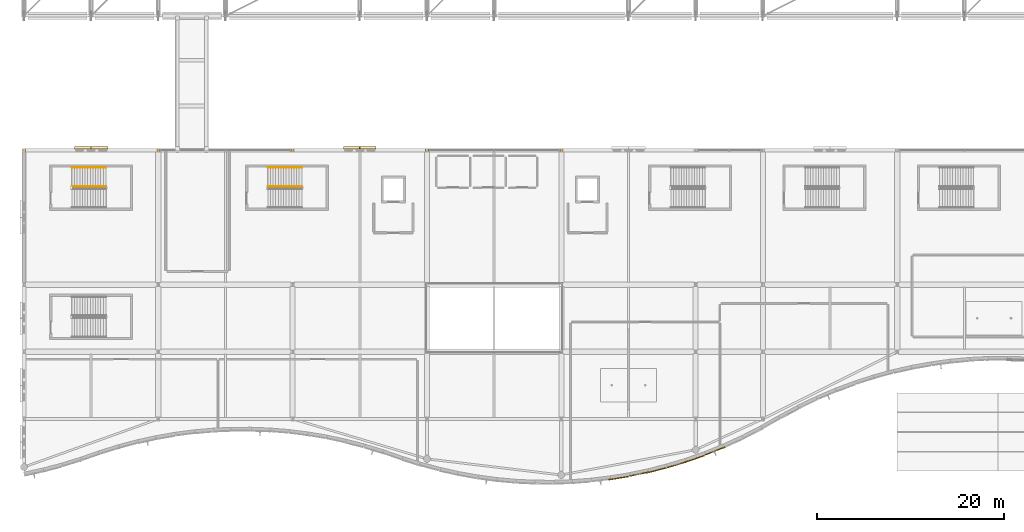
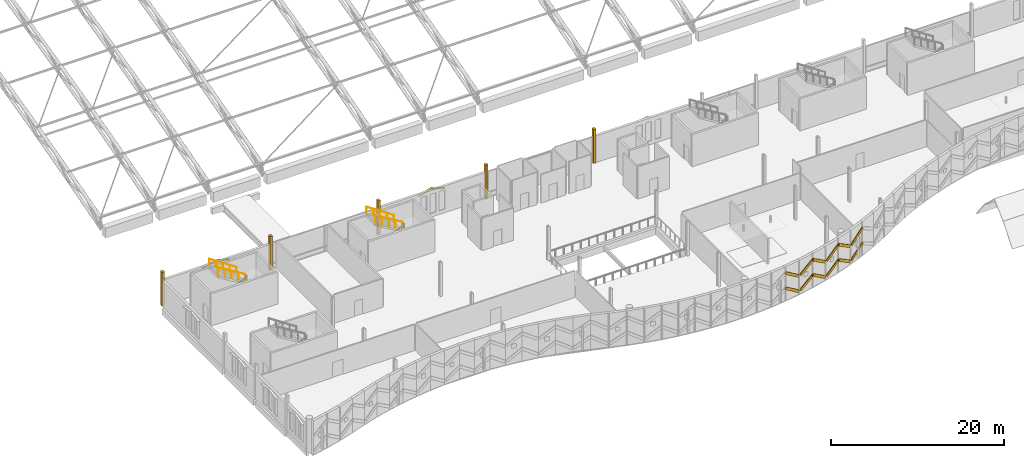
# One storey, part 174 of 193: 21 coverings, 4 railings.
"""IFC4 building model written with IfcOpenShell, lengths in metres."""

from ifc_helpers import new_model, si_unit, direction, frame, origin, origin_2d, place, context, subcontext, project, spatial, polyline, circle, outline, extrude, material, layer, layer_set, type_object, element, save


model = new_model("IFC4")

# Units and contexts
model_context = context("Model", 3, precision=1e-05, world=origin(), true_north=direction((0.0, 1.0)))
body_context = subcontext(model_context, "Body", "Model", "MODEL_VIEW")
ifc_project = project(units=[si_unit("LENGTHUNIT", "METRE"), si_unit("AREAUNIT", "SQUARE_METRE"), si_unit("VOLUMEUNIT", "CUBIC_METRE"), si_unit("PLANEANGLEUNIT", "RADIAN"), si_unit("MASSUNIT", "GRAM", prefix="KILO")], contexts=[model_context])

# Site, building, storey
site_placement = place(None, origin())
site = spatial("IfcSite", under=ifc_project, at=site_placement, CompositionType="ELEMENT")
building_placement = place(site_placement, origin())
building = spatial("IfcBuilding", under=site, at=building_placement, Name="Cendralis Lancet Convention Centre", CompositionType="ELEMENT")
storey_placement = place(building_placement, frame((0.0, 0.0, 10.199951171875)))
storey = spatial("IfcBuildingStorey", under=building, at=storey_placement, Name="L02", CompositionType="ELEMENT", Elevation=10.199951171875)

# Coverings
ifc_material_1 = material(Name="Warm buff sandstone chevron cassette", Category="masonry")
ifc_layer_1 = layer(ifc_material_1, 0.06005859375, Name="Warm buff sandstone chevron cassette")
ifc_layer_set_1 = layer_set([ifc_layer_1], Name="Warm buff sandstone chevron cassette")
covering_type_1 = type_object("IfcCoveringType", Name="ARC-CV-CLAD1", PredefinedType="CLADDING", material=ifc_layer_set_1)
covering_1_placement = place(storey_placement, frame((62.8642578125, 0.669921875, 2.0), z_axis=(0.543172719336, 0.089104738228, 0.834879477885), x_axis=(0.823943529311, 0.134688046505, -0.550432730345)))
element("IfcCovering", 1, at=covering_1_placement, inside=storey, type_object=covering_type_1, Name="L02 Diagonal Stone Chevron Relief CL-ST1 #0189", PredefinedType="CLADDING", context=body_context, shape_type="SweptSolid", body=[
    extrude(outline(polyline([(0.0, 0.0), (2.3618668666557228, 4.228388472693467e-18), (2.3618151828312772, 0.11009468771215564), (-5.168382444555204e-05, 0.11009468771215564), (0.0, 0.0)])), origin(), (0.0, 0.0, -1.0), 0.360107421875),
])
covering_2_placement = place(storey_placement, frame((64.900146484375, 1.004638671875, 0.699951171875), z_axis=(-0.535516011124, -0.111717625903, 0.837103203848), x_axis=(0.819591376233, 0.170328716695, 0.547044883234)))
element("IfcCovering", 2, at=covering_2_placement, inside=storey, type_object=covering_type_1, Name="L02 Diagonal Stone Chevron Relief CL-ST1 #0195", PredefinedType="CLADDING", context=body_context, shape_type="SweptSolid", body=[
    extrude(outline(polyline([(0.0, 0.0), (2.3764939001692507, -5.1445393084437185e-17), (2.376423723765234, 0.10998390659189178), (-7.017640401671757e-05, 0.10998390659189175), (0.0, 0.0)])), origin(), (0.0, 0.0, -1.0), 0.360107421875),
])
covering_3_placement = place(storey_placement, frame((66.93701171875, 1.429931640625, 2.0), z_axis=(0.526510100147, 0.133735975095, 0.839584303932), x_axis=(0.813772959225, 0.206580198374, -0.543229410539)))
element("IfcCovering", 3, at=covering_3_placement, inside=storey, type_object=covering_type_1, Name="L02 Diagonal Stone Chevron Relief CL-ST1 #0201", PredefinedType="CLADDING", context=body_context, shape_type="SweptSolid", body=[
    extrude(outline(polyline([(0.0, 0.0), (2.393185646621677, -2.6834003769016235e-18), (2.3931726456977342, 0.1100773730944064), (-1.3000923942810272e-05, 0.11007737309440638), (0.0, 0.0)])), origin(), (0.0, 0.0, -1.0), 0.360107421875),
])
covering_4_placement = place(storey_placement, frame((68.97265625, 1.94873046875, 0.699951171875), z_axis=(-0.515726631131, -0.154777749088, 0.842656448578), x_axis=(0.806951355381, 0.242692130971, 0.538451520208)))
element("IfcCovering", 4, at=covering_4_placement, inside=storey, type_object=covering_type_1, Name="L02 Diagonal Stone Chevron Relief CL-ST1 #0207", PredefinedType="CLADDING", context=body_context, shape_type="SweptSolid", body=[
    extrude(outline(polyline([(0.0, 0.0), (2.4143523621519787, -4.4181238528784306e-17), (2.414475307367854, 0.10983661618475955), (-1.4813383833359867e-05, 0.11014069893752243), (0.0, 0.0)])), origin(), (0.0, 0.0, -1.0), 0.360107421875),
])
covering_5_placement = place(storey_placement, frame((71.00830078125, 2.56298828125, 2.0), z_axis=(0.502807529916, 0.176071261945, 0.846276254291), x_axis=(0.798850685672, 0.279322616905, -0.53274427044)))
element("IfcCovering", 5, at=covering_5_placement, inside=storey, type_object=covering_type_1, Name="L02 Diagonal Stone Chevron Relief CL-ST1 #0213", PredefinedType="CLADDING", context=body_context, shape_type="SweptSolid", body=[
    extrude(outline(polyline([(0.0, 0.0), (2.440320974507576, -8.00683304380545e-17), (2.4402436698248176, 0.10995164957037776), (-9.110684490151733e-06, 0.11018209786058912), (0.0, 0.0)])), origin(), (0.0, 0.0, -1.0), 0.360107421875),
])
covering_6_placement = place(storey_placement, frame((73.043701171875, 3.277099609375, 0.699951171875), z_axis=(-0.487776465358, -0.196278913006, 0.850616663458), x_axis=(0.789436902966, 0.316762179858, 0.525786171032)))
element("IfcCovering", 6, at=covering_6_placement, inside=storey, type_object=covering_type_1, Name="L02 Diagonal Stone Chevron Relief CL-ST1 #0219", PredefinedType="CLADDING", context=body_context, shape_type="SweptSolid", body=[
    extrude(outline(polyline([(0.0, 0.0), (2.4725421076503356, -5.583641188300348e-17), (2.4724886876020626, 0.10998472630370565), (-0.00013075456484028247, 0.10975817007703312), (0.0, 0.0)])), origin(), (0.0, 0.0, -1.0), 0.360107421875),
])
for number, where, z_axis, x_axis, name in (
    (7, (5.39990234375, 36.419921875, 3.27001953125), (-0.205041599325, 0.0, 0.978753259277), (0.0, -1.0, 0.0), "L02 Gothic Pointed Lancet Hood-Mould #0261L"),
    (8, (7.2099609375, 36.419921875, 3.64501953125), (0.205041599325, 0.0, 0.978753259277), (0.0, -1.0, 0.0), "L02 Gothic Pointed Lancet Hood-Mould #0262R"),
):
    element("IfcCovering", number, at=place(storey_placement, frame(where, z_axis=z_axis, x_axis=x_axis)), inside=storey, type_object=covering_type_1, Name=name, PredefinedType="CLADDING", context=body_context, shape_type="SweptSolid", body=[
        extrude(outline(polyline([(0.0, 0.0), (0.284912109375, 0.0), (0.284912109375, 1.8288971664027145), (0.0, 1.8288971664027145), (0.0, 0.0)])), origin(), (0.0, 0.0, -1.0), 0.090087890625),
    ])
for number, where, z_axis, x_axis, name in (
    (9, (34.239990234375, 36.419921875, 3.27001953125), (-0.262000790167, 0.0, 0.965067658743), (0.0, -1.0, 0.0), "L02 Gothic Pointed Lancet Hood-Mould #0263L"),
    (10, (36.010009765625, 36.419921875, 3.7451171875), (0.262000790167, 0.0, 0.965067658743), (0.0, -1.0, 0.0), "L02 Gothic Pointed Lancet Hood-Mould #0264R"),
):
    element("IfcCovering", number, at=place(storey_placement, frame(where, z_axis=z_axis, x_axis=x_axis)), inside=storey, type_object=covering_type_1, Name=name, PredefinedType="CLADDING", context=body_context, shape_type="SweptSolid", body=[
        extrude(outline(polyline([(0.0, 0.0), (0.284912109375, 0.0), (0.284912109375, 1.8133443641443958), (0.0, 1.8133443641443958), (0.0, 0.0)])), origin(), (0.0, 0.0, -1.0), 0.090087890625),
    ])
covering_7_placement = place(storey_placement, origin())
element("IfcCovering", 11, at=covering_7_placement, inside=storey, type_object=covering_type_1, Name="Exterior Column Stone Fire-Casing L02 #020", PredefinedType="CLADDING", context=body_context, shape_type="SweptSolid", body=[
    extrude(outline(polyline([(-0.162109375, 35.80810546875), (0.162109375, 35.80810546875), (0.162109375, 36.19189453125), (-0.162109375, 36.19189453125), (-0.162109375, 35.80810546875)])), origin(), (0.0, 0.0, 1.0), 4.800048828125),
])
covering_8_placement = place(storey_placement, origin())
element("IfcCovering", 12, at=covering_8_placement, inside=storey, type_object=covering_type_1, Name="Exterior Column Stone Fire-Casing L02 #021", PredefinedType="CLADDING", context=body_context, shape_type="SweptSolid", body=[
    extrude(outline(polyline([(14.238037109375, 35.80810546875), (14.56201171875, 35.80810546875), (14.56201171875, 36.19189453125), (14.238037109375, 36.19189453125), (14.238037109375, 35.80810546875)])), origin(), (0.0, 0.0, 1.0), 4.800048828125),
])
covering_9_placement = place(storey_placement, origin())
element("IfcCovering", 13, at=covering_9_placement, inside=storey, type_object=covering_type_1, Name="Exterior Column Stone Fire-Casing L02 #022", PredefinedType="CLADDING", context=body_context, shape_type="SweptSolid", body=[
    extrude(outline(polyline([(28.637939453125, 35.80810546875), (28.9619140625, 35.80810546875), (28.9619140625, 36.19189453125), (28.637939453125, 36.19189453125), (28.637939453125, 35.80810546875)])), origin(), (0.0, 0.0, 1.0), 4.800048828125),
])
covering_10_placement = place(storey_placement, origin())
element("IfcCovering", 14, at=covering_10_placement, inside=storey, type_object=covering_type_1, Name="Exterior Column Stone Fire-Casing L02 #023", PredefinedType="CLADDING", context=body_context, shape_type="SweptSolid", body=[
    extrude(outline(polyline([(43.0380859375, 35.80810546875), (43.362060546875, 35.80810546875), (43.362060546875, 36.19189453125), (43.0380859375, 36.19189453125), (43.0380859375, 35.80810546875)])), origin(), (0.0, 0.0, 1.0), 4.800048828125),
])
covering_11_placement = place(storey_placement, origin())
element("IfcCovering", 15, at=covering_11_placement, inside=storey, type_object=covering_type_1, Name="Exterior Column Stone Fire-Casing L02 #024", PredefinedType="CLADDING", context=body_context, shape_type="SweptSolid", body=[
    extrude(outline(polyline([(57.43798828125, 35.80810546875), (57.761962890625, 35.80810546875), (57.761962890625, 36.19189453125), (57.43798828125, 36.19189453125), (57.43798828125, 35.80810546875)])), origin(), (0.0, 0.0, 1.0), 4.800048828125),
])
ifc_material_2 = material(Name="Dark Andean slate chevron cassette", Category="masonry")
ifc_layer_2 = layer(ifc_material_2, 0.06005859375, Name="Dark Andean slate chevron cassette")
ifc_layer_set_2 = layer_set([ifc_layer_2], Name="Dark Andean slate chevron cassette")
covering_type_2 = type_object("IfcCoveringType", Name="ARC-CV-CLAD2", PredefinedType="CLADDING", material=ifc_layer_set_2)
covering_12_placement = place(storey_placement, frame((62.8642578125, 0.669921875, 4.150146484375), z_axis=(0.543172719336, 0.089104738228, 0.834879477885), x_axis=(0.823943529311, 0.134688046505, -0.550432730345)))
element("IfcCovering", 16, at=covering_12_placement, inside=storey, type_object=covering_type_2, Name="L02 Diagonal Stone Chevron Relief CL-ST2 #0190", PredefinedType="CLADDING", context=body_context, shape_type="SweptSolid", body=[
    extrude(outline(polyline([(0.0, 0.0), (2.3618668666557228, 4.228388472693467e-18), (2.3618151828312772, 0.11009468771215564), (-5.168382444555204e-05, 0.11009468771215564), (0.0, 0.0)])), origin(), (0.0, 0.0, -1.0), 0.360107421875),
])
covering_13_placement = place(storey_placement, frame((64.900146484375, 1.004638671875, 2.85009765625), z_axis=(-0.535516011124, -0.111717625903, 0.837103203848), x_axis=(0.819591376233, 0.170328716695, 0.547044883234)))
element("IfcCovering", 17, at=covering_13_placement, inside=storey, type_object=covering_type_2, Name="L02 Diagonal Stone Chevron Relief CL-ST2 #0196", PredefinedType="CLADDING", context=body_context, shape_type="SweptSolid", body=[
    extrude(outline(polyline([(0.0, 0.0), (2.3764939001692507, -5.1445393084437185e-17), (2.376423723765234, 0.10998390659189178), (-7.017640401671757e-05, 0.10998390659189175), (0.0, 0.0)])), origin(), (0.0, 0.0, -1.0), 0.360107421875),
])
covering_14_placement = place(storey_placement, frame((66.93701171875, 1.429931640625, 4.150146484375), z_axis=(0.526510100147, 0.133735975095, 0.839584303932), x_axis=(0.813772959225, 0.206580198374, -0.543229410539)))
element("IfcCovering", 18, at=covering_14_placement, inside=storey, type_object=covering_type_2, Name="L02 Diagonal Stone Chevron Relief CL-ST2 #0202", PredefinedType="CLADDING", context=body_context, shape_type="SweptSolid", body=[
    extrude(outline(polyline([(0.0, 0.0), (2.393185646621677, -2.6834003769016235e-18), (2.3931726456977342, 0.1100773730944064), (-1.3000923942810272e-05, 0.11007737309440638), (0.0, 0.0)])), origin(), (0.0, 0.0, -1.0), 0.360107421875),
])
covering_15_placement = place(storey_placement, frame((68.97265625, 1.94873046875, 2.85009765625), z_axis=(-0.515726631131, -0.154777749088, 0.842656448578), x_axis=(0.806951355381, 0.242692130971, 0.538451520208)))
element("IfcCovering", 19, at=covering_15_placement, inside=storey, type_object=covering_type_2, Name="L02 Diagonal Stone Chevron Relief CL-ST2 #0208", PredefinedType="CLADDING", context=body_context, shape_type="SweptSolid", body=[
    extrude(outline(polyline([(0.0, 0.0), (2.4143523621519787, -4.4181238528784306e-17), (2.414475307367854, 0.10983661618475955), (-1.4813383833359867e-05, 0.11014069893752243), (0.0, 0.0)])), origin(), (0.0, 0.0, -1.0), 0.360107421875),
])
covering_16_placement = place(storey_placement, frame((71.00830078125, 2.56298828125, 4.150146484375), z_axis=(0.502807529916, 0.176071261945, 0.846276254291), x_axis=(0.798850685672, 0.279322616905, -0.53274427044)))
element("IfcCovering", 20, at=covering_16_placement, inside=storey, type_object=covering_type_2, Name="L02 Diagonal Stone Chevron Relief CL-ST2 #0214", PredefinedType="CLADDING", context=body_context, shape_type="SweptSolid", body=[
    extrude(outline(polyline([(0.0, 0.0), (2.440320974507576, -8.00683304380545e-17), (2.4402436698248176, 0.10995164957037776), (-9.110684490151733e-06, 0.11018209786058912), (0.0, 0.0)])), origin(), (0.0, 0.0, -1.0), 0.360107421875),
])
covering_17_placement = place(storey_placement, frame((73.043701171875, 3.277099609375, 2.85009765625), z_axis=(-0.487776465358, -0.196278913006, 0.850616663458), x_axis=(0.789436902966, 0.316762179858, 0.525786171032)))
element("IfcCovering", 21, at=covering_17_placement, inside=storey, type_object=covering_type_2, Name="L02 Diagonal Stone Chevron Relief CL-ST2 #0220", PredefinedType="CLADDING", context=body_context, shape_type="SweptSolid", body=[
    extrude(outline(polyline([(0.0, 0.0), (2.4725421076503356, -5.583641188300348e-17), (2.4724886876020626, 0.10998472630370565), (-0.00013075456484028247, 0.10975817007703312), (0.0, 0.0)])), origin(), (0.0, 0.0, -1.0), 0.360107421875),
])

# Railings
ifc_material_3 = material(Name="Steel S355", Category="steel")
railing_type_1 = type_object("IfcRailingType", Name="ARC-RL-CGD", PredefinedType="GUARDRAIL", material=ifc_material_3)
for number, where, name in (
    (22, (29.7900390625, 32.1298828125, 2.571533203125), "L02 ST-11 stair guard 3"),
    (23, (8.7900390625, 32.1298828125, 2.571533203125), "L02 ST-20 stair guard 3"),
):
    element("IfcRailing", number, at=place(storey_placement, frame(where)), inside=storey, type_object=railing_type_1, Name=name, PredefinedType="GUARDRAIL", context=body_context, shape_type="SweptSolid", body=[
        extrude(circle(Radius=0.02392578125, at=origin_2d()), frame((0.0, 0.0, 1.076171875), z_axis=(-0.852865859571, 0.0, 0.52213008492), x_axis=(0.0, -1.0, 0.0)), (0.0, 0.0, 1.0), 4.26806640625),
        extrude(circle(Radius=0.02099609375, at=origin_2d()), origin(), (0.0, 0.0, 1.0), 1.052001953125),
        extrude(circle(Radius=0.02099609375, at=origin_2d()), frame((-0.91015625, 0.0, 0.55712890625)), (0.0, 0.0, 1.0), 1.052001953125),
        extrude(circle(Radius=0.02099609375, at=origin_2d()), frame((-1.820068359375, 0.0, 1.1142578125)), (0.0, 0.0, 1.0), 1.052001953125),
        extrude(circle(Radius=0.02099609375, at=origin_2d()), frame((-2.72998046875, 0.0, 1.67138671875)), (0.0, 0.0, 1.0), 1.052001953125),
        extrude(circle(Radius=0.02099609375, at=origin_2d()), frame((-3.64013671875, 0.0, 2.228515625)), (0.0, 0.0, 1.0), 1.052001953125),
    ])
railing_type_2 = type_object("IfcRailingType", Name="ARC-RL-CHR", PredefinedType="HANDRAIL", material=ifc_material_3)
for number, where, name in (
    (24, (29.7900390625, 34.1298828125, 2.571533203125), "L02 ST-11 stair handrail 2"),
    (25, (8.7900390625, 34.1298828125, 2.571533203125), "L02 ST-20 stair handrail 2"),
):
    element("IfcRailing", number, at=place(storey_placement, frame(where)), inside=storey, type_object=railing_type_2, Name=name, PredefinedType="HANDRAIL", context=body_context, shape_type="SweptSolid", body=[
        extrude(circle(Radius=0.02392578125, at=origin_2d()), frame((0.0, 0.0, 0.8759765625), z_axis=(-0.83488217925, 0.0, 0.55042869363), x_axis=(0.0, -1.0, 0.0)), (0.0, 0.0, 1.0), 4.360107421875),
        extrude(circle(Radius=0.02099609375, at=origin_2d()), origin(), (0.0, 0.0, 1.0), 0.851806640625),
        extrude(circle(Radius=0.02099609375, at=origin_2d()), frame((-0.91015625, 0.0, 0.60009765625)), (0.0, 0.0, 1.0), 0.851806640625),
        extrude(circle(Radius=0.02099609375, at=origin_2d()), frame((-1.820068359375, 0.0, 1.199951171875)), (0.0, 0.0, 1.0), 0.851806640625),
        extrude(circle(Radius=0.02099609375, at=origin_2d()), frame((-2.72998046875, 0.0, 1.7998046875)), (0.0, 0.0, 1.0), 0.851806640625),
        extrude(circle(Radius=0.02099609375, at=origin_2d()), frame((-3.64013671875, 0.0, 2.39990234375)), (0.0, 0.0, 1.0), 0.851806640625),
    ])

save(model, "model.ifc")
